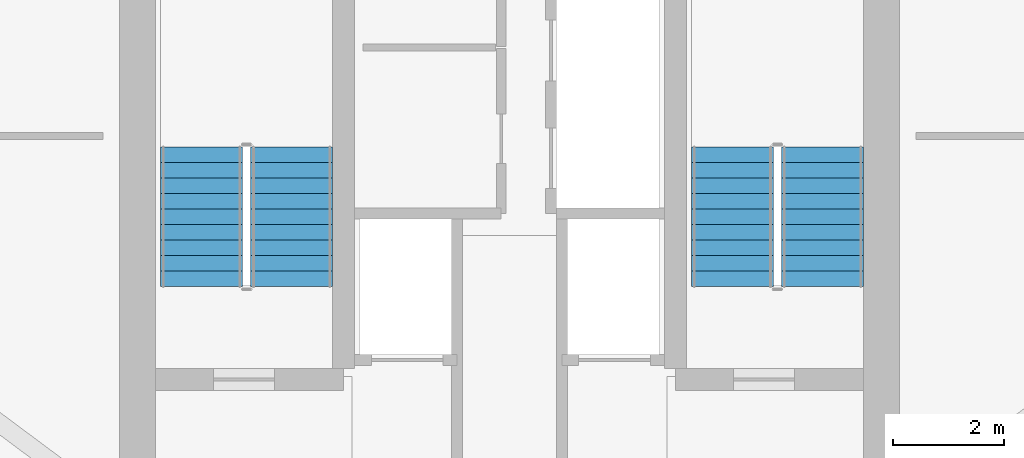
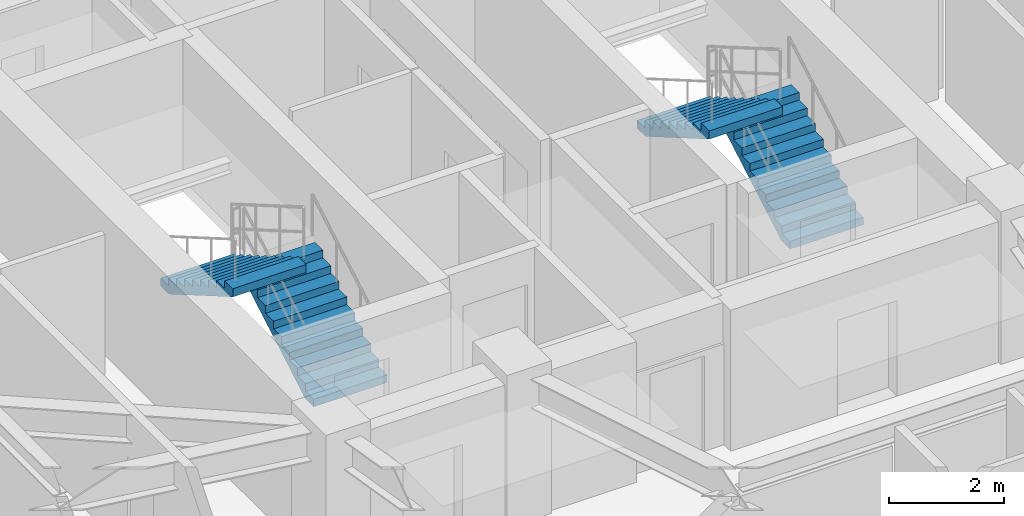
# One storey, part 33 of 35: 4 stair flights, 2 elements without a shape of their own.
"""IFC4 building model written with IfcOpenShell, lengths in metres."""

from ifc_helpers import new_model, si_unit, direction, frame, origin, place, context, subcontext, project, spatial, polyline, outline, extrude, material, type_object, element, aggregate, save


model = new_model("IFC4")

# Units and contexts
model_context = context("Model", 3, precision=1e-05, world=origin(), true_north=direction((0.0, 1.0)))
body_context = subcontext(model_context, "Body", "Model", "MODEL_VIEW")
ifc_project = project(units=[si_unit("LENGTHUNIT", "METRE"), si_unit("AREAUNIT", "SQUARE_METRE"), si_unit("VOLUMEUNIT", "CUBIC_METRE"), si_unit("PLANEANGLEUNIT", "RADIAN"), si_unit("MASSUNIT", "GRAM", prefix="KILO")], contexts=[model_context])

# Site, building, storey
site_placement = place(None, origin())
site = spatial("IfcSite", under=ifc_project, at=site_placement, CompositionType="ELEMENT")
building_placement = place(site_placement, origin())
building = spatial("IfcBuilding", under=site, at=building_placement, Name="Veraguas Prism Commons", CompositionType="ELEMENT")
storey_placement = place(building_placement, frame((0.0, 0.0, 142.5)))
storey = spatial("IfcBuildingStorey", under=building, at=storey_placement, Name="L40", CompositionType="ELEMENT", Elevation=142.5)

# Stair, stair flights
ifc_material = material(Name="Precast concrete C45/55", Category="concrete")
stair_type = type_object("IfcStairType", Name="Dogleg Core Stair 1480W 20R 05", PredefinedType="HALF_TURN_STAIR", material=ifc_material)
stair_1_placement = place(storey_placement, origin())
stair_1 = element("IfcStair", 1, at=stair_1_placement, inside=storey, type_object=stair_type, Name="Protected Exit Stair ST-01 L40", PredefinedType="HALF_TURN_STAIR")
stair_flight_type = type_object("IfcStairFlightType", Name="Precast Stair Flight 1480W 10R 05", PredefinedType="STRAIGHT", material=ifc_material)
stair_flight_1_placement = place(storey_placement, frame((20.06005859375, 21.280029296875, 0.0), z_axis=(0.0, 0.0, 1.0), x_axis=(0.0, 1.0, 0.0)))
stair_flight_1 = element("IfcStairFlight", 2, at=stair_flight_1_placement, type_object=stair_flight_type, Name="ST-05 Flight 1", NumberOfRisers=10, NumberOfTreads=9, PredefinedType="STRAIGHT", RiserHeight=0.1625, TreadLength=0.28, context=body_context, shape_type="SweptSolid", body=[
    extrude(outline(polyline([(0.0, 0.0), (0.0, 0.16259765625), (0.280029296875, 0.16259765625), (0.280029296875, 0.324951171875), (0.56005859375, 0.324951171875), (0.56005859375, 0.487548828125), (0.840087890625, 0.487548828125), (0.840087890625, 0.64990234375), (1.1201171875, 0.64990234375), (1.1201171875, 0.8125), (1.39990234375, 0.8125), (1.39990234375, 0.97509765625), (1.679931640625, 0.97509765625), (1.679931640625, 1.137451171875), (1.9599609375, 1.137451171875), (1.9599609375, 1.300048828125), (2.239990234375, 1.300048828125), (2.239990234375, 1.46240234375), (2.52001953125, 1.46240234375), (2.52001953125, 1.625), (2.52001953125, 1.2890625), (0.298583984375, 0.0), (0.0, 0.0)])), frame((0.0, 0.739990234375, 0.0), z_axis=(0.0, -1.0, 0.0), x_axis=(1.0, 0.0, 0.0)), (0.0, 0.0, 1.0), 1.47998046875),
])
stair_flight_2_placement = place(storey_placement, frame((18.429931640625, 23.800048828125, 1.625), z_axis=(0.0, 0.0, 1.0), x_axis=(0.0, -1.0, 0.0)))
stair_flight_2 = element("IfcStairFlight", 3, at=stair_flight_2_placement, type_object=stair_flight_type, Name="ST-05 Flight 2", NumberOfRisers=10, NumberOfTreads=9, PredefinedType="STRAIGHT", RiserHeight=0.1625, TreadLength=0.28, context=body_context, shape_type="SweptSolid", body=[
    extrude(outline(polyline([(0.0, 0.0), (0.0, 0.16259765625), (0.280029296875, 0.16259765625), (0.280029296875, 0.324951171875), (0.56005859375, 0.324951171875), (0.56005859375, 0.487548828125), (0.840087890625, 0.487548828125), (0.840087890625, 0.64990234375), (1.1201171875, 0.64990234375), (1.1201171875, 0.8125), (1.39990234375, 0.8125), (1.39990234375, 0.97509765625), (1.679931640625, 0.97509765625), (1.679931640625, 1.137451171875), (1.9599609375, 1.137451171875), (1.9599609375, 1.300048828125), (2.239990234375, 1.300048828125), (2.239990234375, 1.46240234375), (2.52001953125, 1.46240234375), (2.52001953125, 1.625), (2.52001953125, 1.2890625), (0.298583984375, 0.0), (0.0, 0.0)])), frame((0.0, 0.739990234375, 0.0), z_axis=(0.0, -1.0, 0.0), x_axis=(1.0, 0.0, 0.0)), (0.0, 0.0, 1.0), 1.47998046875),
])
aggregate(stair_1, [stair_flight_1, stair_flight_2])

stair_2_placement = place(storey_placement, origin())
stair_2 = element("IfcStair", 4, at=stair_2_placement, inside=storey, type_object=stair_type, Name="Protected Exit Stair ST-02 L40", PredefinedType="HALF_TURN_STAIR")
stair_flight_3_placement = place(storey_placement, frame((29.659912109375, 21.280029296875, 0.0), z_axis=(0.0, 0.0, 1.0), x_axis=(0.0, 1.0, 0.0)))
stair_flight_3 = element("IfcStairFlight", 5, at=stair_flight_3_placement, type_object=stair_flight_type, Name="ST-05 Flight 1", NumberOfRisers=10, NumberOfTreads=9, PredefinedType="STRAIGHT", RiserHeight=0.1625, TreadLength=0.28, context=body_context, shape_type="SweptSolid", body=[
    extrude(outline(polyline([(0.0, 0.0), (0.0, 0.16259765625), (0.280029296875, 0.16259765625), (0.280029296875, 0.324951171875), (0.56005859375, 0.324951171875), (0.56005859375, 0.487548828125), (0.840087890625, 0.487548828125), (0.840087890625, 0.64990234375), (1.1201171875, 0.64990234375), (1.1201171875, 0.8125), (1.39990234375, 0.8125), (1.39990234375, 0.97509765625), (1.679931640625, 0.97509765625), (1.679931640625, 1.137451171875), (1.9599609375, 1.137451171875), (1.9599609375, 1.300048828125), (2.239990234375, 1.300048828125), (2.239990234375, 1.46240234375), (2.52001953125, 1.46240234375), (2.52001953125, 1.625), (2.52001953125, 1.2890625), (0.298583984375, 0.0), (0.0, 0.0)])), frame((0.0, 0.739990234375, 0.0), z_axis=(0.0, -1.0, 0.0), x_axis=(1.0, 0.0, 0.0)), (0.0, 0.0, 1.0), 1.47998046875),
])
stair_flight_4_placement = place(storey_placement, frame((28.030029296875, 23.800048828125, 1.625), z_axis=(0.0, 0.0, 1.0), x_axis=(0.0, -1.0, 0.0)))
stair_flight_4 = element("IfcStairFlight", 6, at=stair_flight_4_placement, type_object=stair_flight_type, Name="ST-05 Flight 2", NumberOfRisers=10, NumberOfTreads=9, PredefinedType="STRAIGHT", RiserHeight=0.1625, TreadLength=0.28, context=body_context, shape_type="SweptSolid", body=[
    extrude(outline(polyline([(0.0, 0.0), (0.0, 0.16259765625), (0.280029296875, 0.16259765625), (0.280029296875, 0.324951171875), (0.56005859375, 0.324951171875), (0.56005859375, 0.487548828125), (0.840087890625, 0.487548828125), (0.840087890625, 0.64990234375), (1.1201171875, 0.64990234375), (1.1201171875, 0.8125), (1.39990234375, 0.8125), (1.39990234375, 0.97509765625), (1.679931640625, 0.97509765625), (1.679931640625, 1.137451171875), (1.9599609375, 1.137451171875), (1.9599609375, 1.300048828125), (2.239990234375, 1.300048828125), (2.239990234375, 1.46240234375), (2.52001953125, 1.46240234375), (2.52001953125, 1.625), (2.52001953125, 1.2890625), (0.298583984375, 0.0), (0.0, 0.0)])), frame((0.0, 0.739990234375, 0.0), z_axis=(0.0, -1.0, 0.0), x_axis=(1.0, 0.0, 0.0)), (0.0, 0.0, 1.0), 1.47998046875),
])
aggregate(stair_2, [stair_flight_3, stair_flight_4])

save(model, "model.ifc")
